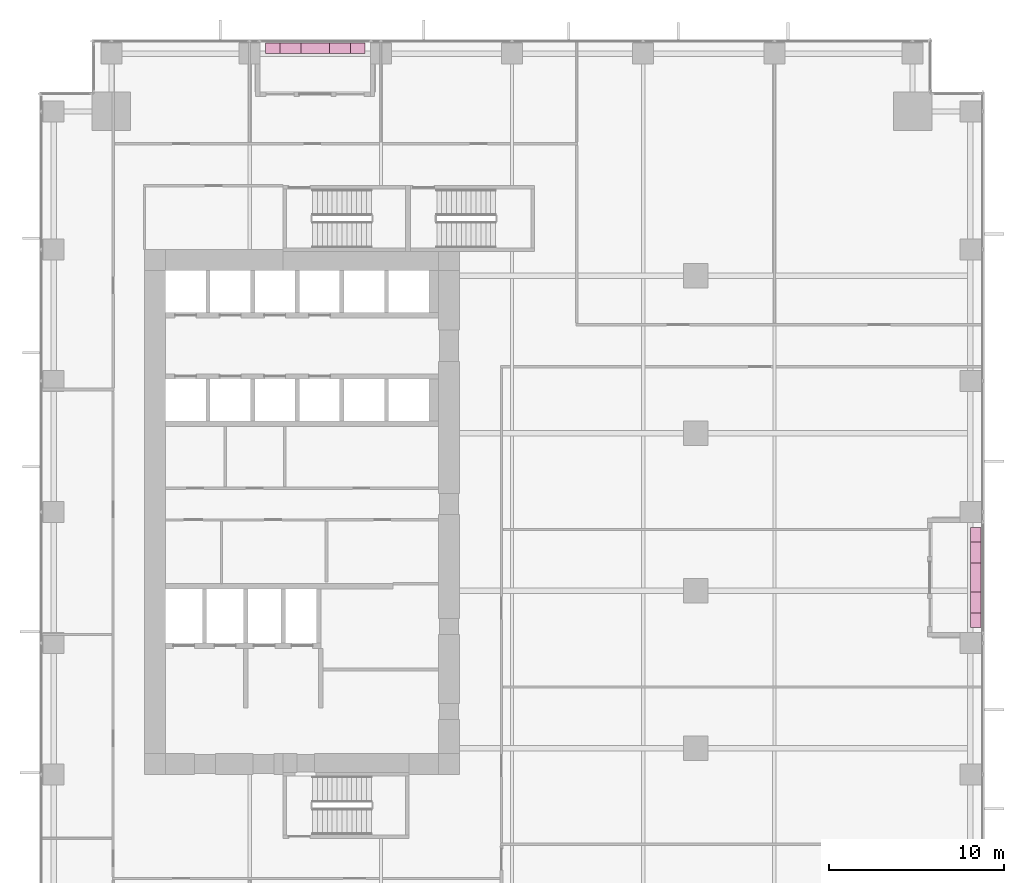
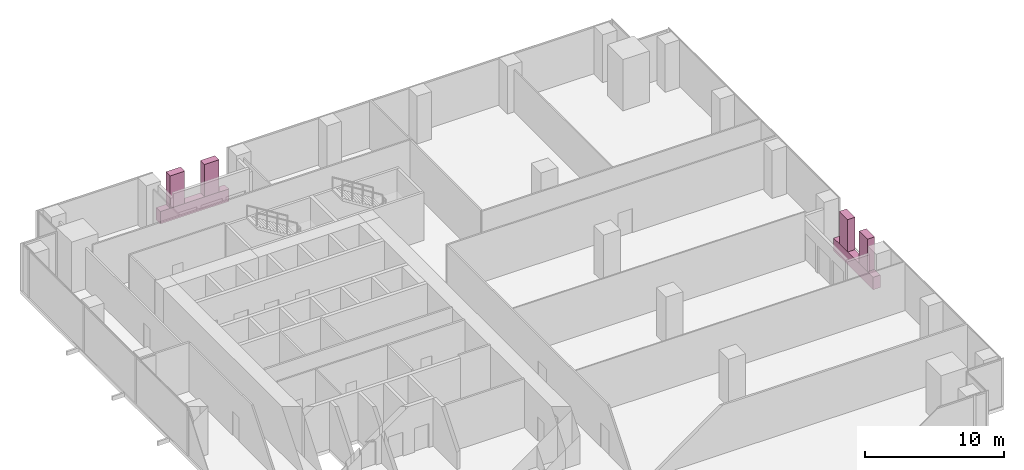
# One storey, part 32 of 32: 6 furnishings.
"""IFC4 building model written with IfcOpenShell, lengths in metres."""

from ifc_helpers import new_model, si_unit, direction, frame, origin, origin_2d, place, context, subcontext, project, spatial, rectangle, extrude, source, transform, mapped, material, type_object, element, save


model = new_model("IFC4")

# Units and contexts
model_context = context("Model", 3, precision=1e-05, world=origin(), true_north=direction((0.0, 1.0)))
body_context = subcontext(model_context, "Body", "Model", "MODEL_VIEW")
ifc_project = project(units=[si_unit("LENGTHUNIT", "METRE"), si_unit("AREAUNIT", "SQUARE_METRE"), si_unit("VOLUMEUNIT", "CUBIC_METRE"), si_unit("PLANEANGLEUNIT", "RADIAN"), si_unit("MASSUNIT", "GRAM", prefix="KILO")], contexts=[model_context])

# Site, building, storey
site_placement = place(None, origin())
site = spatial("IfcSite", under=ifc_project, at=site_placement, CompositionType="ELEMENT")
building_placement = place(site_placement, origin())
building = spatial("IfcBuilding", under=site, at=building_placement, Name="Khomas Fold Tower", CompositionType="ELEMENT")
storey_placement = place(building_placement, frame((0.0, 0.0, 37.5)))
storey = spatial("IfcBuildingStorey", under=building, at=storey_placement, Name="L07", CompositionType="ELEMENT", Elevation=37.5)

# Furnishings
ifc_material_1 = material(Name="Precast concrete C40/50", Category="concrete")
furnishing_element_type_1 = type_object("IfcFurnishingElementType", Name="BL-Structural planter box", material=ifc_material_1)
shared_shape_1 = source(origin(), body_context, "Body", "SweptSolid", [
    extrude(rectangle(XDim=5.699951171875, YDim=0.60009765625, at=origin_2d()), origin(), (0.0, 0.0, 1.0), 1.10009765625),
])
for number, where, z_axis, x_axis, name in (
    (1, (15.75, 53.5, -0.045166015625), (0.0, 0.0, 1.0), (1.0, 0.0, 0.0), "PLANTER BAL-L07-N1"),
    (2, (53.5, 23.25, -0.045166015625), (0.0, 0.0, 1.0), (0.0, 1.0, 0.0), "PLANTER BAL-L07-E2"),
):
    element("IfcFurnishingElement", number, at=place(storey_placement, frame(where, z_axis=z_axis, x_axis=x_axis)), inside=storey, type_object=furnishing_element_type_1, Name=name, context=body_context, shape_type="MappedRepresentation", body=[
        mapped(shared_shape_1, transform((0.0, 0.0, 0.0))),
    ])
ifc_material_2 = material(Name="Planting")
furnishing_element_type_2 = type_object("IfcFurnishingElementType", Name="BL-Tree Shepherd's tree", material=ifc_material_2)
shared_shape_2 = source(origin(), body_context, "Body", "SweptSolid", [
    extrude(rectangle(XDim=1.199951171875, YDim=0.60009765625, at=origin_2d()), origin(), (0.0, 0.0, 1.0), 2.844970703125),
])
furnishing_1_placement = place(storey_placement, frame((14.324951171875, 53.5, 1.05517578125), z_axis=(0.0, 0.0, 1.0), x_axis=(1.0, 0.0, 0.0)))
element("IfcFurnishingElement", 3, at=furnishing_1_placement, inside=storey, type_object=furnishing_element_type_2, Name="PLANTER (TREE) Shepherd's tree BAL-L07-N1-1", context=body_context, shape_type="MappedRepresentation", body=[
    mapped(shared_shape_2, transform((0.0, 0.0, 0.0))),
])
ifc_material_3 = material(Name="Planting")
furnishing_element_type_3 = type_object("IfcFurnishingElementType", Name="BL-Tree Karee", material=ifc_material_3)
furnishing_2_placement = place(storey_placement, frame((17.175048828125, 53.5, 1.05517578125), z_axis=(0.0, 0.0, 1.0), x_axis=(1.0, 0.0, 0.0)))
element("IfcFurnishingElement", 4, at=furnishing_2_placement, inside=storey, type_object=furnishing_element_type_3, Name="PLANTER (TREE) Karee BAL-L07-N1-2", context=body_context, shape_type="MappedRepresentation", body=[
    mapped(shared_shape_2, transform((0.0, 0.0, 0.0))),
])
furnishing_3_placement = place(storey_placement, frame((53.5, 21.824951171875, 1.05517578125), z_axis=(0.0, 0.0, 1.0), x_axis=(0.0, 1.0, 0.0)))
element("IfcFurnishingElement", 5, at=furnishing_3_placement, inside=storey, type_object=furnishing_element_type_2, Name="PLANTER (TREE) Shepherd's tree BAL-L07-E2-1", context=body_context, shape_type="MappedRepresentation", body=[
    mapped(shared_shape_2, transform((0.0, 0.0, 0.0))),
])
furnishing_4_placement = place(storey_placement, frame((53.5, 24.675048828125, 1.05517578125), z_axis=(0.0, 0.0, 1.0), x_axis=(0.0, 1.0, 0.0)))
element("IfcFurnishingElement", 6, at=furnishing_4_placement, inside=storey, type_object=furnishing_element_type_3, Name="PLANTER (TREE) Karee BAL-L07-E2-2", context=body_context, shape_type="MappedRepresentation", body=[
    mapped(shared_shape_2, transform((0.0, 0.0, 0.0))),
])

save(model, "model.ifc")
